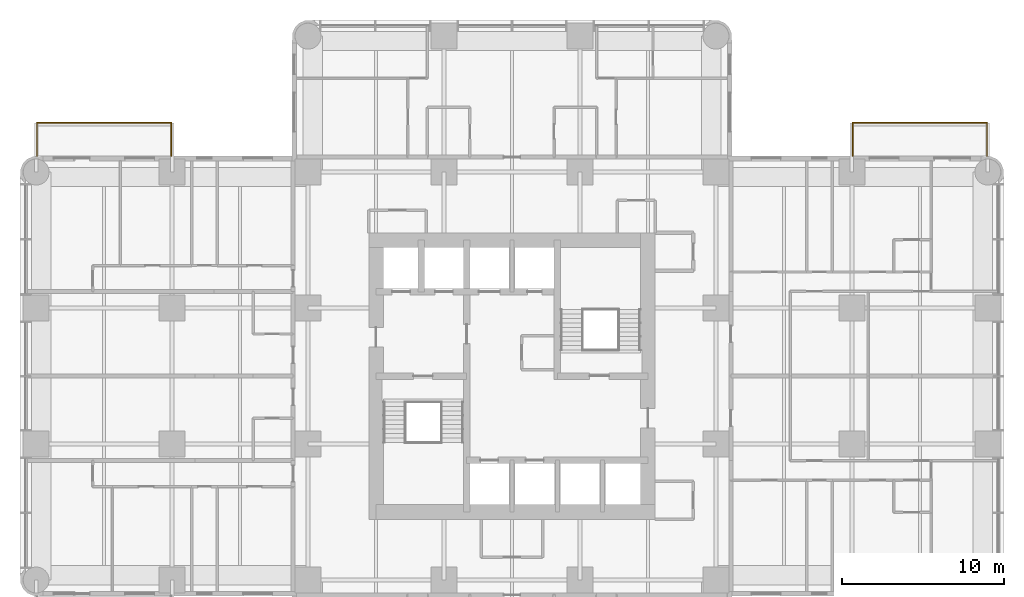
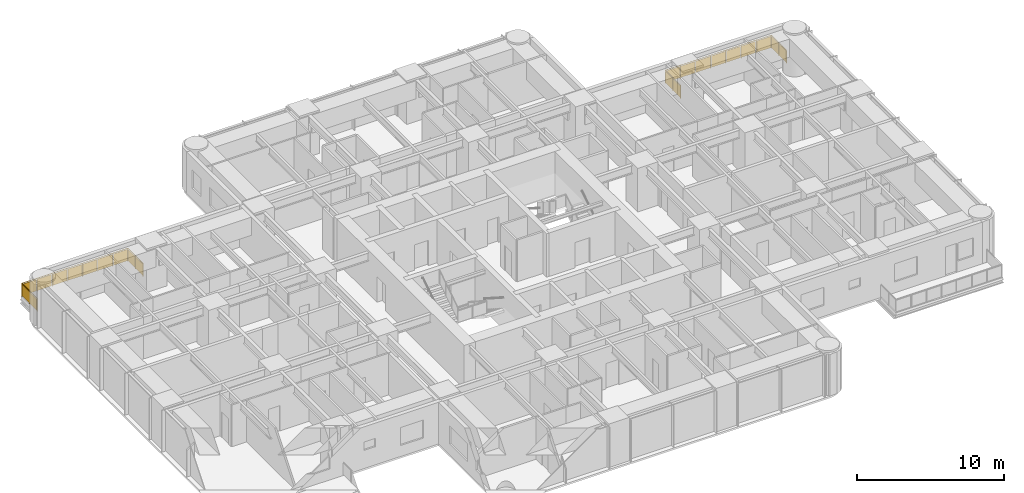
# One storey, part 14 of 14: 2 railings.
"""IFC4 building model written with IfcOpenShell, lengths in metres."""

from ifc_helpers import new_model, si_unit, direction, frame, origin, origin_2d, place, context, subcontext, project, spatial, polyline, circle, outline, extrude, material, constituent, constituent_set, type_object, element, save


model = new_model("IFC4")

# Units and contexts
model_context = context("Model", 3, precision=1e-05, world=origin(), true_north=direction((0.0, 1.0)))
body_context = subcontext(model_context, "Body", "Model", "MODEL_VIEW")
ifc_project = project(units=[si_unit("LENGTHUNIT", "METRE"), si_unit("AREAUNIT", "SQUARE_METRE"), si_unit("VOLUMEUNIT", "CUBIC_METRE"), si_unit("PLANEANGLEUNIT", "RADIAN"), si_unit("MASSUNIT", "GRAM", prefix="KILO")], contexts=[model_context])

# Site, building, storey
site_placement = place(None, origin())
site = spatial("IfcSite", under=ifc_project, at=site_placement, CompositionType="ELEMENT")
building_placement = place(site_placement, origin())
building = spatial("IfcBuilding", under=site, at=building_placement, Name="Torre Alcanfor", CompositionType="ELEMENT")
storey_placement = place(building_placement, frame((0.0, 0.0, 137.699951171875)))
storey = spatial("IfcBuildingStorey", under=building, at=storey_placement, Name="L35", CompositionType="ELEMENT", Elevation=137.699951171875)

# Railings
ifc_material_1 = material(Name="Laminated safety glass", Category="glass")
ifc_constituent_1 = constituent(ifc_material_1, Name="Infill")
ifc_material_2 = material(Name="Stainless steel ASTM A554 Grade MT 316L tube", Category="steel")
ifc_constituent_2 = constituent(ifc_material_2, Name="Posts and rail")
ifc_constituent_set = constituent_set(constituents=[ifc_constituent_1, ifc_constituent_2], Name="Balcony guard glass 1100")
railing_type = type_object("IfcRailingType", Name="Balcony guard glass 1100", PredefinedType="BALUSTRADE", material=ifc_constituent_set)
railing_1_placement = place(storey_placement, frame((50.449951171875, 43.0, 0.0)))
element("IfcRailing", 1, at=railing_1_placement, inside=storey, type_object=railing_type, Name="Balcony guard L35-E1", PredefinedType="BALUSTRADE", context=body_context, shape_type="SweptSolid", body=[
    extrude(circle(Radius=0.02392578125, at=origin_2d()), frame((0.0, 0.0, 1.076171875), z_axis=(0.0, 1.0, 0.0), x_axis=(-1.0, 0.0, 0.0)), (0.0, 0.0, 1.0), 2.050048828125),
    extrude(circle(Radius=0.02392578125, at=origin_2d()), frame((0.0, 2.050048828125, 1.076171875), z_axis=(1.0, 0.0, 0.0), x_axis=(0.0, 1.0, 0.0)), (0.0, 0.0, 1.0), 8.300048828125),
    extrude(circle(Radius=0.02392578125, at=origin_2d()), frame((8.300048828125, 2.050048828125, 1.076171875), z_axis=(0.0, -1.0, 0.0), x_axis=(1.0, 0.0, 0.0)), (0.0, 0.0, 1.0), 2.050048828125),
    extrude(circle(Radius=0.02099609375, at=origin_2d()), origin(), (0.0, 0.0, 1.0), 1.052001953125),
    extrude(circle(Radius=0.02099609375, at=origin_2d()), frame((0.0, 1.02490234375, 0.0)), (0.0, 0.0, 1.0), 1.052001953125),
    extrude(circle(Radius=0.02099609375, at=origin_2d()), frame((0.0, 2.050048828125, 0.0)), (0.0, 0.0, 1.0), 1.052001953125),
    extrude(circle(Radius=0.02099609375, at=origin_2d()), frame((1.185791015625, 2.050048828125, 0.0)), (0.0, 0.0, 1.0), 1.052001953125),
    extrude(circle(Radius=0.02099609375, at=origin_2d()), frame((2.371337890625, 2.050048828125, 0.0)), (0.0, 0.0, 1.0), 1.052001953125),
    extrude(circle(Radius=0.02099609375, at=origin_2d()), frame((3.55712890625, 2.050048828125, 0.0)), (0.0, 0.0, 1.0), 1.052001953125),
    extrude(circle(Radius=0.02099609375, at=origin_2d()), frame((4.742919921875, 2.050048828125, 0.0)), (0.0, 0.0, 1.0), 1.052001953125),
    extrude(circle(Radius=0.02099609375, at=origin_2d()), frame((5.9287109375, 2.050048828125, 0.0)), (0.0, 0.0, 1.0), 1.052001953125),
    extrude(circle(Radius=0.02099609375, at=origin_2d()), frame((7.1142578125, 2.050048828125, 0.0)), (0.0, 0.0, 1.0), 1.052001953125),
    extrude(circle(Radius=0.02099609375, at=origin_2d()), frame((8.300048828125, 2.050048828125, 0.0)), (0.0, 0.0, 1.0), 1.052001953125),
    extrude(circle(Radius=0.02099609375, at=origin_2d()), frame((8.300048828125, 1.02490234375, 0.0)), (0.0, 0.0, 1.0), 1.052001953125),
    extrude(circle(Radius=0.02099609375, at=origin_2d()), frame((8.300048828125, 0.0, 0.0)), (0.0, 0.0, 1.0), 1.052001953125),
    extrude(outline(polyline([(0.041015625, 0.050048828125), (0.984130859375, 0.050048828125), (0.984130859375, 1.001953125), (0.041015625, 1.001953125), (0.041015625, 0.050048828125)])), frame((-0.005859375, 0.0, 0.0), z_axis=(1.0, 0.0, 0.0), x_axis=(0.0, 1.0, 0.0)), (0.0, 0.0, 1.0), 0.011962890625),
    extrude(outline(polyline([(1.06591796875, 0.050048828125), (2.009033203125, 0.050048828125), (2.009033203125, 1.001953125), (1.06591796875, 1.001953125), (1.06591796875, 0.050048828125)])), frame((-0.005859375, 0.0, 0.0), z_axis=(1.0, 0.0, 0.0), x_axis=(0.0, 1.0, 0.0)), (0.0, 0.0, 1.0), 0.011962890625),
    extrude(outline(polyline([(0.041015625, 0.050048828125), (1.144775390625, 0.050048828125), (1.144775390625, 1.001953125), (0.041015625, 1.001953125), (0.041015625, 0.050048828125)])), frame((0.0, 2.05615234375, 0.0), z_axis=(0.0, -1.0, 0.0), x_axis=(1.0, 0.0, 0.0)), (0.0, 0.0, 1.0), 0.011962890625),
    extrude(outline(polyline([(1.226806640625, 0.050048828125), (2.330322265625, 0.050048828125), (2.330322265625, 1.001953125), (1.226806640625, 1.001953125), (1.226806640625, 0.050048828125)])), frame((0.0, 2.05615234375, 0.0), z_axis=(0.0, -1.0, 0.0), x_axis=(1.0, 0.0, 0.0)), (0.0, 0.0, 1.0), 0.011962890625),
    extrude(outline(polyline([(2.412353515625, 0.050048828125), (3.51611328125, 0.050048828125), (3.51611328125, 1.001953125), (2.412353515625, 1.001953125), (2.412353515625, 0.050048828125)])), frame((0.0, 2.05615234375, 0.0), z_axis=(0.0, -1.0, 0.0), x_axis=(1.0, 0.0, 0.0)), (0.0, 0.0, 1.0), 0.011962890625),
    extrude(outline(polyline([(3.59814453125, 0.050048828125), (4.701904296875, 0.050048828125), (4.701904296875, 1.001953125), (3.59814453125, 1.001953125), (3.59814453125, 0.050048828125)])), frame((0.0, 2.05615234375, 0.0), z_axis=(0.0, -1.0, 0.0), x_axis=(1.0, 0.0, 0.0)), (0.0, 0.0, 1.0), 0.011962890625),
    extrude(outline(polyline([(4.783935546875, 0.050048828125), (5.8876953125, 0.050048828125), (5.8876953125, 1.001953125), (4.783935546875, 1.001953125), (4.783935546875, 0.050048828125)])), frame((0.0, 2.05615234375, 0.0), z_axis=(0.0, -1.0, 0.0), x_axis=(1.0, 0.0, 0.0)), (0.0, 0.0, 1.0), 0.011962890625),
    extrude(outline(polyline([(5.9697265625, 0.050048828125), (7.0732421875, 0.050048828125), (7.0732421875, 1.001953125), (5.9697265625, 1.001953125), (5.9697265625, 0.050048828125)])), frame((0.0, 2.05615234375, 0.0), z_axis=(0.0, -1.0, 0.0), x_axis=(1.0, 0.0, 0.0)), (0.0, 0.0, 1.0), 0.011962890625),
    extrude(outline(polyline([(7.1552734375, 0.050048828125), (8.259033203125, 0.050048828125), (8.259033203125, 1.001953125), (7.1552734375, 1.001953125), (7.1552734375, 0.050048828125)])), frame((0.0, 2.05615234375, 0.0), z_axis=(0.0, -1.0, 0.0), x_axis=(1.0, 0.0, 0.0)), (0.0, 0.0, 1.0), 0.011962890625),
    extrude(outline(polyline([(0.041015625, 0.050048828125), (0.984130859375, 0.050048828125), (0.984130859375, 1.001953125), (0.041015625, 1.001953125), (0.041015625, 0.050048828125)])), frame((8.30615234375, 2.050048828125, 0.0), z_axis=(-1.0, 0.0, 0.0), x_axis=(0.0, -1.0, 0.0)), (0.0, 0.0, 1.0), 0.011962890625),
    extrude(outline(polyline([(1.06591796875, 0.050048828125), (2.009033203125, 0.050048828125), (2.009033203125, 1.001953125), (1.06591796875, 1.001953125), (1.06591796875, 0.050048828125)])), frame((8.30615234375, 2.050048828125, 0.0), z_axis=(-1.0, 0.0, 0.0), x_axis=(0.0, -1.0, 0.0)), (0.0, 0.0, 1.0), 0.011962890625),
])
railing_2_placement = place(storey_placement, frame((8.35009765625, 43.0, 0.0)))
element("IfcRailing", 2, at=railing_2_placement, inside=storey, type_object=railing_type, Name="Balcony guard L35-W2", PredefinedType="BALUSTRADE", context=body_context, shape_type="SweptSolid", body=[
    extrude(circle(Radius=0.02392578125, at=origin_2d()), frame((0.0, 0.0, 1.076171875), z_axis=(0.0, 1.0, 0.0), x_axis=(-1.0, 0.0, 0.0)), (0.0, 0.0, 1.0), 2.050048828125),
    extrude(circle(Radius=0.02392578125, at=origin_2d()), frame((0.0, 2.050048828125, 1.076171875), z_axis=(-1.0, 0.0, 0.0), x_axis=(0.0, -1.0, 0.0)), (0.0, 0.0, 1.0), 8.300048828125),
    extrude(circle(Radius=0.02392578125, at=origin_2d()), frame((-8.300048828125, 2.050048828125, 1.076171875), z_axis=(0.0, -1.0, 0.0), x_axis=(1.0, 0.0, 0.0)), (0.0, 0.0, 1.0), 2.050048828125),
    extrude(circle(Radius=0.02099609375, at=origin_2d()), origin(), (0.0, 0.0, 1.0), 1.052001953125),
    extrude(circle(Radius=0.02099609375, at=origin_2d()), frame((0.0, 1.02490234375, 0.0)), (0.0, 0.0, 1.0), 1.052001953125),
    extrude(circle(Radius=0.02099609375, at=origin_2d()), frame((0.0, 2.050048828125, 0.0)), (0.0, 0.0, 1.0), 1.052001953125),
    extrude(circle(Radius=0.02099609375, at=origin_2d()), frame((-1.185791015625, 2.050048828125, 0.0)), (0.0, 0.0, 1.0), 1.052001953125),
    extrude(circle(Radius=0.02099609375, at=origin_2d()), frame((-2.371337890625, 2.050048828125, 0.0)), (0.0, 0.0, 1.0), 1.052001953125),
    extrude(circle(Radius=0.02099609375, at=origin_2d()), frame((-3.55712890625, 2.050048828125, 0.0)), (0.0, 0.0, 1.0), 1.052001953125),
    extrude(circle(Radius=0.02099609375, at=origin_2d()), frame((-4.742919921875, 2.050048828125, 0.0)), (0.0, 0.0, 1.0), 1.052001953125),
    extrude(circle(Radius=0.02099609375, at=origin_2d()), frame((-5.9287109375, 2.050048828125, 0.0)), (0.0, 0.0, 1.0), 1.052001953125),
    extrude(circle(Radius=0.02099609375, at=origin_2d()), frame((-7.1142578125, 2.050048828125, 0.0)), (0.0, 0.0, 1.0), 1.052001953125),
    extrude(circle(Radius=0.02099609375, at=origin_2d()), frame((-8.300048828125, 2.050048828125, 0.0)), (0.0, 0.0, 1.0), 1.052001953125),
    extrude(circle(Radius=0.02099609375, at=origin_2d()), frame((-8.300048828125, 1.02490234375, 0.0)), (0.0, 0.0, 1.0), 1.052001953125),
    extrude(circle(Radius=0.02099609375, at=origin_2d()), frame((-8.300048828125, 0.0, 0.0)), (0.0, 0.0, 1.0), 1.052001953125),
    extrude(outline(polyline([(0.041015625, 0.050048828125), (0.984130859375, 0.050048828125), (0.984130859375, 1.001953125), (0.041015625, 1.001953125), (0.041015625, 0.050048828125)])), frame((-0.005859375, 0.0, 0.0), z_axis=(1.0, 0.0, 0.0), x_axis=(0.0, 1.0, 0.0)), (0.0, 0.0, 1.0), 0.011962890625),
    extrude(outline(polyline([(1.06591796875, 0.050048828125), (2.009033203125, 0.050048828125), (2.009033203125, 1.001953125), (1.06591796875, 1.001953125), (1.06591796875, 0.050048828125)])), frame((-0.005859375, 0.0, 0.0), z_axis=(1.0, 0.0, 0.0), x_axis=(0.0, 1.0, 0.0)), (0.0, 0.0, 1.0), 0.011962890625),
    extrude(outline(polyline([(0.041015625, 0.050048828125), (1.144775390625, 0.050048828125), (1.144775390625, 1.001953125), (0.041015625, 1.001953125), (0.041015625, 0.050048828125)])), frame((0.0, 2.0439453125, 0.0), z_axis=(0.0, 1.0, 0.0), x_axis=(-1.0, 0.0, 0.0)), (0.0, 0.0, 1.0), 0.011962890625),
    extrude(outline(polyline([(1.226806640625, 0.050048828125), (2.330322265625, 0.050048828125), (2.330322265625, 1.001953125), (1.226806640625, 1.001953125), (1.226806640625, 0.050048828125)])), frame((0.0, 2.0439453125, 0.0), z_axis=(0.0, 1.0, 0.0), x_axis=(-1.0, 0.0, 0.0)), (0.0, 0.0, 1.0), 0.011962890625),
    extrude(outline(polyline([(2.412353515625, 0.050048828125), (3.51611328125, 0.050048828125), (3.51611328125, 1.001953125), (2.412353515625, 1.001953125), (2.412353515625, 0.050048828125)])), frame((0.0, 2.0439453125, 0.0), z_axis=(0.0, 1.0, 0.0), x_axis=(-1.0, 0.0, 0.0)), (0.0, 0.0, 1.0), 0.011962890625),
    extrude(outline(polyline([(3.59814453125, 0.050048828125), (4.701904296875, 0.050048828125), (4.701904296875, 1.001953125), (3.59814453125, 1.001953125), (3.59814453125, 0.050048828125)])), frame((0.0, 2.0439453125, 0.0), z_axis=(0.0, 1.0, 0.0), x_axis=(-1.0, 0.0, 0.0)), (0.0, 0.0, 1.0), 0.011962890625),
    extrude(outline(polyline([(4.783935546875, 0.050048828125), (5.8876953125, 0.050048828125), (5.8876953125, 1.001953125), (4.783935546875, 1.001953125), (4.783935546875, 0.050048828125)])), frame((0.0, 2.0439453125, 0.0), z_axis=(0.0, 1.0, 0.0), x_axis=(-1.0, 0.0, 0.0)), (0.0, 0.0, 1.0), 0.011962890625),
    extrude(outline(polyline([(5.9697265625, 0.050048828125), (7.0732421875, 0.050048828125), (7.0732421875, 1.001953125), (5.9697265625, 1.001953125), (5.9697265625, 0.050048828125)])), frame((0.0, 2.0439453125, 0.0), z_axis=(0.0, 1.0, 0.0), x_axis=(-1.0, 0.0, 0.0)), (0.0, 0.0, 1.0), 0.011962890625),
    extrude(outline(polyline([(7.1552734375, 0.050048828125), (8.259033203125, 0.050048828125), (8.259033203125, 1.001953125), (7.1552734375, 1.001953125), (7.1552734375, 0.050048828125)])), frame((0.0, 2.0439453125, 0.0), z_axis=(0.0, 1.0, 0.0), x_axis=(-1.0, 0.0, 0.0)), (0.0, 0.0, 1.0), 0.011962890625),
    extrude(outline(polyline([(0.041015625, 0.050048828125), (0.984130859375, 0.050048828125), (0.984130859375, 1.001953125), (0.041015625, 1.001953125), (0.041015625, 0.050048828125)])), frame((-8.2939453125, 2.050048828125, 0.0), z_axis=(-1.0, 0.0, 0.0), x_axis=(0.0, -1.0, 0.0)), (0.0, 0.0, 1.0), 0.011962890625),
    extrude(outline(polyline([(1.06591796875, 0.050048828125), (2.009033203125, 0.050048828125), (2.009033203125, 1.001953125), (1.06591796875, 1.001953125), (1.06591796875, 0.050048828125)])), frame((-8.2939453125, 2.050048828125, 0.0), z_axis=(-1.0, 0.0, 0.0), x_axis=(0.0, -1.0, 0.0)), (0.0, 0.0, 1.0), 0.011962890625),
])

save(model, "model.ifc")
